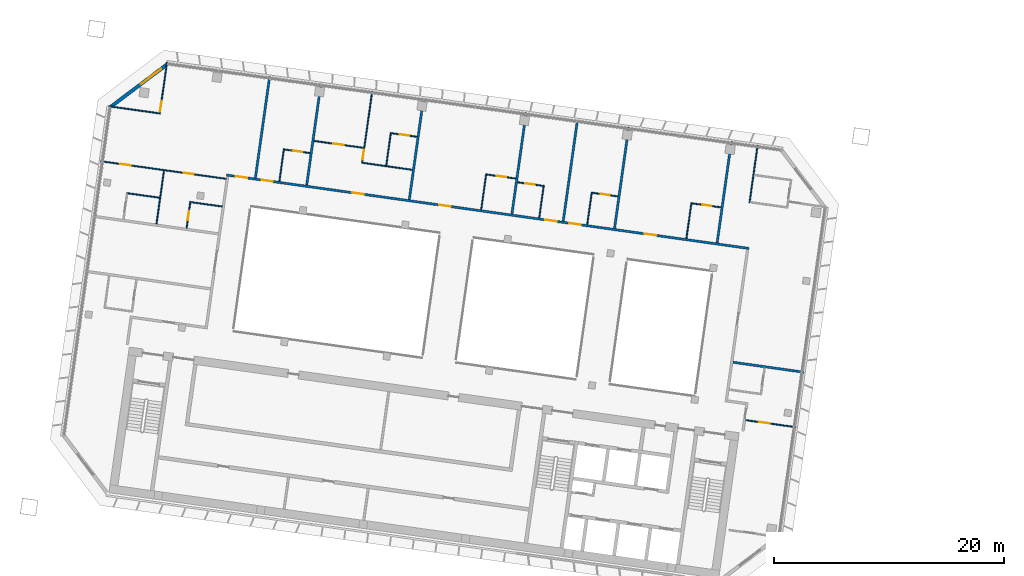
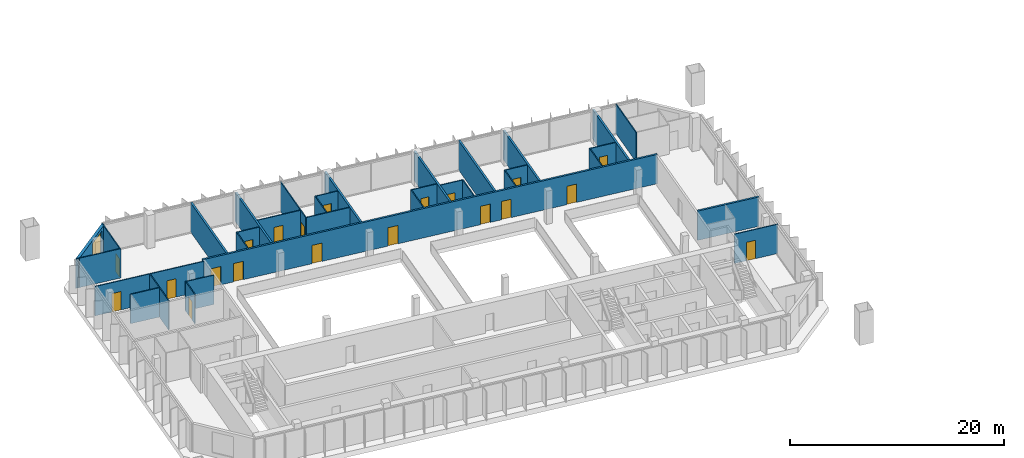
# One storey, part 17 of 26: 34 walls, 20 doors, 1 window, 21 openings.
"""IFC4 building model written with IfcOpenShell, lengths in metres."""

from ifc_helpers import new_model, si_unit, direction, frame, frame_2d, origin, place, context, subcontext, project, spatial, rectangle, extrude, material, layer, layer_set, type_object, element, fill, save


model = new_model("IFC4")

# Units and contexts
model_context = context("Model", 3, precision=1e-05, world=origin(), true_north=direction((0.0, 1.0)))
body_context = subcontext(model_context, "Body", "Model", "MODEL_VIEW")
ifc_project = project(units=[si_unit("LENGTHUNIT", "METRE"), si_unit("AREAUNIT", "SQUARE_METRE"), si_unit("VOLUMEUNIT", "CUBIC_METRE"), si_unit("PLANEANGLEUNIT", "RADIAN"), si_unit("MASSUNIT", "GRAM", prefix="KILO")], contexts=[model_context])

# Site, building, storey
site_placement = place(None, origin())
site = spatial("IfcSite", under=ifc_project, at=site_placement, CompositionType="ELEMENT")
building_placement = place(site_placement, origin())
building = spatial("IfcBuilding", under=site, at=building_placement, Name="Mirante Cascada Hotel Towers", CompositionType="ELEMENT")
storey_placement = place(building_placement, frame((0.0, 0.0, 161.2)))
storey = spatial("IfcBuildingStorey", under=building, at=storey_placement, Name="L37", CompositionType="ELEMENT", Elevation=161.2)

# Wall
ifc_material_1 = material(Name="Fire-rated plasterboard on metal studs")
ifc_layer_1 = layer(ifc_material_1, 0.2)
ifc_layer_set_1 = layer_set([ifc_layer_1], Name="Compartment wall 200 EI 120")
wall_type_1 = type_object("IfcWallType", Name="Compartment wall 200 EI 120", PredefinedType="PARTITIONING", material=ifc_layer_set_1)
wall_1_placement = place(storey_placement, frame((-36.0406, -1.151, 0.0), z_axis=(0.0, 0.0, 1.0), x_axis=(0.9902675, -0.1391773, 0.0)))
element("IfcWall", 1, at=wall_1_placement, inside=storey, type_object=wall_type_1, Name="Wall 1-L37-07", PredefinedType="PARTITIONING", context=body_context, shape_type="SweptSolid", body=[
    extrude(rectangle(XDim=6.2022, YDim=0.2, at=frame_2d((3.1011, 0.0))), origin(), (0.0, 0.0, 1.0), 3.35),
])

# Wall, openings, doors
wall_2_placement = place(storey_placement, frame((-80.1022, 15.1397, 0.0), z_axis=(0.0, 0.0, 1.0), x_axis=(0.9902679, -0.1391743, 0.0)))
wall_2 = element("IfcWall", 2, at=wall_2_placement, inside=storey, type_object=wall_type_1, Name="Wall 1-L37-13", PredefinedType="PARTITIONING", context=body_context, shape_type="SweptSolid", body=[
    extrude(rectangle(XDim=45.9, YDim=0.2, at=frame_2d((22.95, 0.0))), origin(), (0.0, 0.0, 1.0), 3.35),
])
opening_1_placement = place(wall_2_placement, frame((36.7352, 0.0, 0.0)))
opening_1 = element("IfcOpeningElement", 3, at=opening_1_placement, cuts=wall_2, Name="Opening D1-L37-06", PredefinedType="OPENING", context=body_context, shape_type="SweptSolid", body=[
    extrude(rectangle(XDim=1.0, YDim=2.1, at=frame_2d((0.5, 1.05))), frame((0.0, 0.1, 0.0), z_axis=(0.0, -1.0, 0.0), x_axis=(1.0, 0.0, 0.0)), (0.0, 0.0, 1.0), 0.2),
])
opening_2_placement = place(wall_2_placement, frame((30.1224, 0.0, 0.0)))
opening_2 = element("IfcOpeningElement", 4, at=opening_2_placement, cuts=wall_2, Name="Opening D1-L37-07", PredefinedType="OPENING", context=body_context, shape_type="SweptSolid", body=[
    extrude(rectangle(XDim=1.0, YDim=2.1, at=frame_2d((0.5, 1.05))), frame((0.0, 0.1, 0.0), z_axis=(0.0, -1.0, 0.0), x_axis=(1.0, 0.0, 0.0)), (0.0, 0.0, 1.0), 0.2),
])
opening_3_placement = place(wall_2_placement, frame((28.0138, 0.0, 0.0)))
opening_3 = element("IfcOpeningElement", 5, at=opening_3_placement, cuts=wall_2, Name="Opening D1-L37-08", PredefinedType="OPENING", context=body_context, shape_type="SweptSolid", body=[
    extrude(rectangle(XDim=1.0, YDim=2.1, at=frame_2d((0.5, 1.05))), frame((0.0, 0.1, 0.0), z_axis=(0.0, -1.0, 0.0), x_axis=(1.0, 0.0, 0.0)), (0.0, 0.0, 1.0), 0.2),
])
opening_4_placement = place(wall_2_placement, frame((18.7011, 0.0, 0.0)))
opening_4 = element("IfcOpeningElement", 6, at=opening_4_placement, cuts=wall_2, Name="Opening D1-L37-09", PredefinedType="OPENING", context=body_context, shape_type="SweptSolid", body=[
    extrude(rectangle(XDim=1.0, YDim=2.1, at=frame_2d((0.5, 1.05))), frame((0.0, 0.1, 0.0), z_axis=(0.0, -1.0, 0.0), x_axis=(1.0, 0.0, 0.0)), (0.0, 0.0, 1.0), 0.2),
])
opening_5_placement = place(wall_2_placement, frame((11.0341, 0.0, 0.0)))
opening_5 = element("IfcOpeningElement", 7, at=opening_5_placement, cuts=wall_2, Name="Opening D1-L37-10", PredefinedType="OPENING", context=body_context, shape_type="SweptSolid", body=[
    extrude(rectangle(XDim=1.0, YDim=2.1, at=frame_2d((0.5, 1.05))), frame((0.0, 0.1, 0.0), z_axis=(0.0, -1.0, 0.0), x_axis=(1.0, 0.0, 0.0)), (0.0, 0.0, 1.0), 0.2),
])
opening_6_placement = place(wall_2_placement, frame((3.0713, 0.0, 0.0)))
opening_6 = element("IfcOpeningElement", 8, at=opening_6_placement, cuts=wall_2, Name="Opening D1-L37-11", PredefinedType="OPENING", context=body_context, shape_type="SweptSolid", body=[
    extrude(rectangle(XDim=1.0, YDim=2.1, at=frame_2d((0.5, 1.05))), frame((0.0, 0.1, 0.0), z_axis=(0.0, -1.0, 0.0), x_axis=(1.0, 0.0, 0.0)), (0.0, 0.0, 1.0), 0.2),
])
opening_7_placement = place(wall_2_placement, frame((0.8085, 0.0, 0.0)))
opening_7 = element("IfcOpeningElement", 9, at=opening_7_placement, cuts=wall_2, Name="Opening D1-L37-12", PredefinedType="OPENING", context=body_context, shape_type="SweptSolid", body=[
    extrude(rectangle(XDim=1.0, YDim=2.1, at=frame_2d((0.5, 1.05))), frame((0.0, 0.1, 0.0), z_axis=(0.0, -1.0, 0.0), x_axis=(1.0, 0.0, 0.0)), (0.0, 0.0, 1.0), 0.2),
])
ifc_material_2 = material(Name="Fire-rated timber door leaf", Category="wood")
door_type_1 = type_object("IfcDoorType", Name="Entrance door DG1 1000x2100 EI 60", OperationType="SINGLE_SWING_LEFT", PredefinedType="DOOR", material=ifc_material_2)
door_1_placement = place(opening_1_placement, origin())
door_1 = element("IfcDoor", 10, at=door_1_placement, inside=storey, type_object=door_type_1, Name="Door D1-L37-06", OperationType="SINGLE_SWING_LEFT", OverallHeight=2.1, OverallWidth=1.0, PredefinedType="DOOR", context=body_context, shape_type="SweptSolid", body=[
    extrude(rectangle(XDim=1.0, YDim=2.1, at=frame_2d((0.5, 1.05))), frame((0.0, 0.025, 0.0), z_axis=(0.0, -1.0, 0.0), x_axis=(1.0, 0.0, 0.0)), (0.0, 0.0, 1.0), 0.05),
])
fill(opening_1, door_1)
door_2_placement = place(opening_2_placement, origin())
door_2 = element("IfcDoor", 11, at=door_2_placement, inside=storey, type_object=door_type_1, Name="Door D1-L37-07", OperationType="SINGLE_SWING_LEFT", OverallHeight=2.1, OverallWidth=1.0, PredefinedType="DOOR", context=body_context, shape_type="SweptSolid", body=[
    extrude(rectangle(XDim=1.0, YDim=2.1, at=frame_2d((0.5, 1.05))), frame((0.0, 0.025, 0.0), z_axis=(0.0, -1.0, 0.0), x_axis=(1.0, 0.0, 0.0)), (0.0, 0.0, 1.0), 0.05),
])
fill(opening_2, door_2)
door_3_placement = place(opening_3_placement, origin())
door_3 = element("IfcDoor", 12, at=door_3_placement, inside=storey, type_object=door_type_1, Name="Door D1-L37-08", OperationType="SINGLE_SWING_LEFT", OverallHeight=2.1, OverallWidth=1.0, PredefinedType="DOOR", context=body_context, shape_type="SweptSolid", body=[
    extrude(rectangle(XDim=1.0, YDim=2.1, at=frame_2d((0.5, 1.05))), frame((0.0, 0.025, 0.0), z_axis=(0.0, -1.0, 0.0), x_axis=(1.0, 0.0, 0.0)), (0.0, 0.0, 1.0), 0.05),
])
fill(opening_3, door_3)
door_4_placement = place(opening_4_placement, origin())
door_4 = element("IfcDoor", 13, at=door_4_placement, inside=storey, type_object=door_type_1, Name="Door D1-L37-09", OperationType="SINGLE_SWING_LEFT", OverallHeight=2.1, OverallWidth=1.0, PredefinedType="DOOR", context=body_context, shape_type="SweptSolid", body=[
    extrude(rectangle(XDim=1.0, YDim=2.1, at=frame_2d((0.5, 1.05))), frame((0.0, 0.025, 0.0), z_axis=(0.0, -1.0, 0.0), x_axis=(1.0, 0.0, 0.0)), (0.0, 0.0, 1.0), 0.05),
])
fill(opening_4, door_4)
door_5_placement = place(opening_5_placement, origin())
door_5 = element("IfcDoor", 14, at=door_5_placement, inside=storey, type_object=door_type_1, Name="Door D1-L37-10", OperationType="SINGLE_SWING_LEFT", OverallHeight=2.1, OverallWidth=1.0, PredefinedType="DOOR", context=body_context, shape_type="SweptSolid", body=[
    extrude(rectangle(XDim=1.0, YDim=2.1, at=frame_2d((0.5, 1.05))), frame((0.0, 0.025, 0.0), z_axis=(0.0, -1.0, 0.0), x_axis=(1.0, 0.0, 0.0)), (0.0, 0.0, 1.0), 0.05),
])
fill(opening_5, door_5)
door_6_placement = place(opening_6_placement, origin())
door_6 = element("IfcDoor", 15, at=door_6_placement, inside=storey, type_object=door_type_1, Name="Door D1-L37-11", OperationType="SINGLE_SWING_LEFT", OverallHeight=2.1, OverallWidth=1.0, PredefinedType="DOOR", context=body_context, shape_type="SweptSolid", body=[
    extrude(rectangle(XDim=1.0, YDim=2.1, at=frame_2d((0.5, 1.05))), frame((0.0, 0.025, 0.0), z_axis=(0.0, -1.0, 0.0), x_axis=(1.0, 0.0, 0.0)), (0.0, 0.0, 1.0), 0.05),
])
fill(opening_6, door_6)
door_7_placement = place(opening_7_placement, origin())
door_7 = element("IfcDoor", 16, at=door_7_placement, inside=storey, type_object=door_type_1, Name="Door D1-L37-12", OperationType="SINGLE_SWING_LEFT", OverallHeight=2.1, OverallWidth=1.0, PredefinedType="DOOR", context=body_context, shape_type="SweptSolid", body=[
    extrude(rectangle(XDim=1.0, YDim=2.1, at=frame_2d((0.5, 1.05))), frame((0.0, 0.025, 0.0), z_axis=(0.0, -1.0, 0.0), x_axis=(1.0, 0.0, 0.0)), (0.0, 0.0, 1.0), 0.05),
])
fill(opening_7, door_7)

# Walls
for number, where, z_axis, x_axis, name in (
    (17, (-36.1753, 18.0546, 0.0), (0.0, 0.0, 1.0), (-0.1391794, -0.9902672, 0.0), "Wall 1-L37-31"),
    (18, (-45.1046, 19.3095, 0.0), (0.0, 0.0, 1.0), (-0.1391684, -0.9902687, 0.0), "Wall 1-L37-33"),
    (19, (-49.5693, 19.937, 0.0), (0.0, 0.0, 1.0), (-0.1391684, -0.9902687, 0.0), "Wall 1-L37-35"),
    (20, (-54.0339, 20.5645, 0.0), (0.0, 0.0, 1.0), (-0.1391794, -0.9902672, 0.0), "Wall 1-L37-37"),
    (21, (-62.9632, 21.8194, 0.0), (0.0, 0.0, 1.0), (-0.1391684, -0.9902687, 0.0), "Wall 1-L37-39"),
    (22, (-73.1311, 14.2609, 0.0), (0.0, 0.0, 1.0), (0.1391794, 0.9902672, 0.0), "Wall 1-L37-42"),
    (23, (-77.5958, 14.8884, 0.0), (0.0, 0.0, 1.0), (0.1391794, 0.9902672, 0.0), "Wall 1-L37-44"),
):
    element("IfcWall", number, at=place(storey_placement, frame(where, z_axis=z_axis, x_axis=x_axis)), inside=storey, type_object=wall_type_1, Name=name, PredefinedType="PARTITIONING", context=body_context, shape_type="SweptSolid", body=[
        extrude(rectangle(XDim=8.9, YDim=0.2, at=frame_2d((4.45, 0.0))), origin(), (0.0, 0.0, 1.0), 3.35),
    ])

# Wall, opening, door
ifc_material_3 = material(Name="Plasterboard on metal studs")
ifc_layer_2 = layer(ifc_material_3, 0.1)
ifc_layer_set_2 = layer_set([ifc_layer_2], Name="Partition 100")
wall_type_2 = type_object("IfcWallType", Name="Partition 100", PredefinedType="PARTITIONING", material=ifc_layer_set_2)
wall_3_placement = place(storey_placement, frame((-30.5715, -6.8005, 0.0), z_axis=(0.0, 0.0, 1.0), x_axis=(-0.9902665, 0.1391841, 0.0)))
wall_3 = element("IfcWall", 24, at=wall_3_placement, inside=storey, type_object=wall_type_2, Name="Wall 1-L37-02", PredefinedType="PARTITIONING", context=body_context, shape_type="SweptSolid", body=[
    extrude(rectangle(XDim=4.3999, YDim=0.1, at=frame_2d((2.2, 0.0))), origin(), (0.0, 0.0, 1.0), 3.35),
])
opening_8_placement = place(wall_3_placement, frame((2.3011, 0.0, 0.0)))
opening_8 = element("IfcOpeningElement", 25, at=opening_8_placement, cuts=wall_3, Name="Opening D1-L37-02", PredefinedType="OPENING", context=body_context, shape_type="SweptSolid", body=[
    extrude(rectangle(XDim=0.9, YDim=2.1, at=frame_2d((0.45, 1.05))), frame((0.0, 0.05, 0.0), z_axis=(0.0, -1.0, 0.0), x_axis=(1.0, 0.0, 0.0)), (0.0, 0.0, 1.0), 0.1),
])
ifc_material_4 = material(Name="Timber door leaf", Category="wood")
door_type_2 = type_object("IfcDoorType", Name="Room door DG3 900x2100", OperationType="SINGLE_SWING_LEFT", PredefinedType="DOOR", material=ifc_material_4)
door_8_placement = place(opening_8_placement, origin())
door_8 = element("IfcDoor", 26, at=door_8_placement, inside=storey, type_object=door_type_2, Name="Door D1-L37-02", OperationType="SINGLE_SWING_LEFT", OverallHeight=2.1, OverallWidth=0.9, PredefinedType="DOOR", context=body_context, shape_type="SweptSolid", body=[
    extrude(rectangle(XDim=0.9, YDim=2.1, at=frame_2d((0.45, 1.05))), frame((0.0, 0.025, 0.0), z_axis=(0.0, -1.0, 0.0), x_axis=(1.0, 0.0, 0.0)), (0.0, 0.0, 1.0), 0.05),
])
fill(opening_8, door_8)

# Walls
wall_4_placement = place(storey_placement, frame((-80.4873, 12.3999, 0.0), z_axis=(0.0, 0.0, 1.0), x_axis=(-0.9902649, 0.1391957, 0.0)))
element("IfcWall", 27, at=wall_4_placement, inside=storey, type_object=wall_type_2, Name="Wall 1-L37-10", PredefinedType="PARTITIONING", context=body_context, shape_type="SweptSolid", body=[
    extrude(rectangle(XDim=2.8499, YDim=0.1, at=frame_2d((1.425, 0.0))), origin(), (0.0, 0.0, 1.0), 3.35),
])
wall_5_placement = place(storey_placement, frame((-88.8055, 13.569, 0.0), z_axis=(0.0, 0.0, 1.0), x_axis=(0.9902683, -0.1391714, 0.0)))
element("IfcWall", 28, at=wall_5_placement, inside=storey, type_object=wall_type_2, Name="Wall 1-L37-11", PredefinedType="PARTITIONING", context=body_context, shape_type="SweptSolid", body=[
    extrude(rectangle(XDim=2.9, YDim=0.1, at=frame_2d((1.45, 0.0))), origin(), (0.0, 0.0, 1.0), 3.35),
])

# Wall, openings, doors
wall_6_placement = place(storey_placement, frame((-80.1486, 14.8096, 0.0), z_axis=(0.0, 0.0, 1.0), x_axis=(-0.990268, 0.1391733, 0.0)))
wall_6 = element("IfcWall", 29, at=wall_6_placement, inside=storey, type_object=wall_type_2, Name="Wall 1-L37-12", PredefinedType="PARTITIONING", context=body_context, shape_type="SweptSolid", body=[
    extrude(rectangle(XDim=11.0, YDim=0.1, at=frame_2d((5.5, 0.0))), origin(), (0.0, 0.0, 1.0), 3.35),
])
opening_9_placement = place(wall_6_placement, frame((2.825, 0.0, 0.0)))
opening_9 = element("IfcOpeningElement", 30, at=opening_9_placement, cuts=wall_6, Name="Opening D1-L37-04", PredefinedType="OPENING", context=body_context, shape_type="SweptSolid", body=[
    extrude(rectangle(XDim=0.9, YDim=2.1, at=frame_2d((0.45, 1.05))), frame((0.0, 0.05, 0.0), z_axis=(0.0, -1.0, 0.0), x_axis=(1.0, 0.0, 0.0)), (0.0, 0.0, 1.0), 0.1),
])
opening_10_placement = place(wall_6_placement, frame((8.375, 0.0, 0.0)))
opening_10 = element("IfcOpeningElement", 31, at=opening_10_placement, cuts=wall_6, Name="Opening D1-L37-05", PredefinedType="OPENING", context=body_context, shape_type="SweptSolid", body=[
    extrude(rectangle(XDim=0.9, YDim=2.1, at=frame_2d((0.45, 1.05))), frame((0.0, 0.05, 0.0), z_axis=(0.0, -1.0, 0.0), x_axis=(1.0, 0.0, 0.0)), (0.0, 0.0, 1.0), 0.1),
])
door_9_placement = place(opening_9_placement, frame((0.9, 0.0, 0.0), z_axis=(0.0, 0.0, 1.0), x_axis=(-1.0, 0.0, 0.0)))
door_9 = element("IfcDoor", 32, at=door_9_placement, inside=storey, type_object=door_type_2, Name="Door D1-L37-04", OperationType="SINGLE_SWING_RIGHT", OverallHeight=2.1, OverallWidth=0.9, PredefinedType="DOOR", context=body_context, shape_type="SweptSolid", body=[
    extrude(rectangle(XDim=0.9, YDim=2.1, at=frame_2d((0.45, 1.05))), frame((0.0, 0.025, 0.0), z_axis=(0.0, -1.0, 0.0), x_axis=(1.0, 0.0, 0.0)), (0.0, 0.0, 1.0), 0.05),
])
fill(opening_9, door_9)
door_10_placement = place(opening_10_placement, frame((0.9, 0.0, 0.0), z_axis=(0.0, 0.0, 1.0), x_axis=(-1.0, 0.0, 0.0)))
door_10 = element("IfcDoor", 33, at=door_10_placement, inside=storey, type_object=door_type_2, Name="Door D1-L37-05", OperationType="SINGLE_SWING_RIGHT", OverallHeight=2.1, OverallWidth=0.9, PredefinedType="DOOR", context=body_context, shape_type="SweptSolid", body=[
    extrude(rectangle(XDim=0.9, YDim=2.1, at=frame_2d((0.45, 1.05))), frame((0.0, 0.025, 0.0), z_axis=(0.0, -1.0, 0.0), x_axis=(1.0, 0.0, 0.0)), (0.0, 0.0, 1.0), 0.05),
])
fill(opening_10, door_10)

# Wall
wall_7_placement = place(storey_placement, frame((-63.939, 15.5946, 0.0), z_axis=(0.0, 0.0, 1.0), x_axis=(-0.9902677, 0.1391757, 0.0)))
element("IfcWall", 34, at=wall_7_placement, inside=storey, type_object=wall_type_2, Name="Wall 1-L37-14", PredefinedType="PARTITIONING", context=body_context, shape_type="SweptSolid", body=[
    extrude(rectangle(XDim=4.3585, YDim=0.1, at=frame_2d((2.1792, 0.0))), origin(), (0.0, 0.0, 1.0), 3.35),
])

# Wall, opening, door
wall_8_placement = place(storey_placement, frame((-48.2807, 13.596, 0.0), z_axis=(0.0, 0.0, 1.0), x_axis=(0.9902643, -0.1391997, 0.0)))
wall_8 = element("IfcWall", 35, at=wall_8_placement, inside=storey, type_object=wall_type_2, Name="Wall 1-L37-15", PredefinedType="PARTITIONING", context=body_context, shape_type="SweptSolid", body=[
    extrude(rectangle(XDim=2.25, YDim=0.1, at=frame_2d((1.125, 0.0))), origin(), (0.0, 0.0, 1.0), 3.35),
])
opening_11_placement = place(wall_8_placement, frame((0.75, 0.0, 0.0)))
opening_11 = element("IfcOpeningElement", 36, at=opening_11_placement, cuts=wall_8, Name="Opening D1-L37-13", PredefinedType="OPENING", context=body_context, shape_type="SweptSolid", body=[
    extrude(rectangle(XDim=0.8, YDim=2.1, at=frame_2d((0.4, 1.05))), frame((0.0, 0.05, 0.0), z_axis=(0.0, -1.0, 0.0), x_axis=(1.0, 0.0, 0.0)), (0.0, 0.0, 1.0), 0.1),
])
ifc_material_5 = material(Name="Timber door leaf", Category="wood")
door_type_3 = type_object("IfcDoorType", Name="Bathroom door DG4 800x2100", OperationType="SINGLE_SWING_LEFT", PredefinedType="DOOR", material=ifc_material_5)
door_11_placement = place(opening_11_placement, origin())
door_11 = element("IfcDoor", 37, at=door_11_placement, inside=storey, type_object=door_type_3, Name="Door D1-L37-13", OperationType="SINGLE_SWING_LEFT", OverallHeight=2.1, OverallWidth=0.8, PredefinedType="DOOR", context=body_context, shape_type="SweptSolid", body=[
    extrude(rectangle(XDim=0.8, YDim=2.1, at=frame_2d((0.4, 1.05))), frame((0.0, 0.025, 0.0), z_axis=(0.0, -1.0, 0.0), x_axis=(1.0, 0.0, 0.0)), (0.0, 0.0, 1.0), 0.05),
])
fill(opening_11, door_11)

wall_9_placement = place(storey_placement, frame((-52.5558, 14.1968, 0.0), z_axis=(0.0, 0.0, 1.0), x_axis=(-0.9902705, 0.1391561, 0.0)))
wall_9 = element("IfcWall", 38, at=wall_9_placement, inside=storey, type_object=wall_type_2, Name="Wall 1-L37-16", PredefinedType="PARTITIONING", context=body_context, shape_type="SweptSolid", body=[
    extrude(rectangle(XDim=2.25, YDim=0.1, at=frame_2d((1.125, 0.0))), origin(), (0.0, 0.0, 1.0), 3.35),
])
opening_12_placement = place(wall_9_placement, frame((0.75, 0.0, 0.0)))
opening_12 = element("IfcOpeningElement", 39, at=opening_12_placement, cuts=wall_9, Name="Opening D1-L37-14", PredefinedType="OPENING", context=body_context, shape_type="SweptSolid", body=[
    extrude(rectangle(XDim=0.8, YDim=2.1, at=frame_2d((0.4, 1.05))), frame((0.0, 0.05, 0.0), z_axis=(0.0, -1.0, 0.0), x_axis=(1.0, 0.0, 0.0)), (0.0, 0.0, 1.0), 0.1),
])
door_12_placement = place(opening_12_placement, frame((0.8, 0.0, 0.0), z_axis=(0.0, 0.0, 1.0), x_axis=(-1.0, 0.0, 0.0)))
door_12 = element("IfcDoor", 40, at=door_12_placement, inside=storey, type_object=door_type_3, Name="Door D1-L37-14", OperationType="SINGLE_SWING_RIGHT", OverallHeight=2.1, OverallWidth=0.8, PredefinedType="DOOR", context=body_context, shape_type="SweptSolid", body=[
    extrude(rectangle(XDim=0.8, YDim=2.1, at=frame_2d((0.4, 1.05))), frame((0.0, 0.025, 0.0), z_axis=(0.0, -1.0, 0.0), x_axis=(1.0, 0.0, 0.0)), (0.0, 0.0, 1.0), 0.05),
])
fill(opening_12, door_12)

wall_10_placement = place(storey_placement, frame((-75.0685, 17.3607, 0.0), z_axis=(0.0, 0.0, 1.0), x_axis=(0.9902705, -0.1391561, 0.0)))
wall_10 = element("IfcWall", 41, at=wall_10_placement, inside=storey, type_object=wall_type_2, Name="Wall 1-L37-17", PredefinedType="PARTITIONING", context=body_context, shape_type="SweptSolid", body=[
    extrude(rectangle(XDim=2.25, YDim=0.1, at=frame_2d((1.125, 0.0))), origin(), (0.0, 0.0, 1.0), 3.35),
])
opening_13_placement = place(wall_10_placement, frame((0.75, 0.0, 0.0)))
opening_13 = element("IfcOpeningElement", 42, at=opening_13_placement, cuts=wall_10, Name="Opening D1-L37-15", PredefinedType="OPENING", context=body_context, shape_type="SweptSolid", body=[
    extrude(rectangle(XDim=0.8, YDim=2.1, at=frame_2d((0.4, 1.05))), frame((0.0, 0.05, 0.0), z_axis=(0.0, -1.0, 0.0), x_axis=(1.0, 0.0, 0.0)), (0.0, 0.0, 1.0), 0.1),
])
door_13_placement = place(opening_13_placement, origin())
door_13 = element("IfcDoor", 43, at=door_13_placement, inside=storey, type_object=door_type_3, Name="Door D1-L37-15", OperationType="SINGLE_SWING_LEFT", OverallHeight=2.1, OverallWidth=0.8, PredefinedType="DOOR", context=body_context, shape_type="SweptSolid", body=[
    extrude(rectangle(XDim=0.8, YDim=2.1, at=frame_2d((0.4, 1.05))), frame((0.0, 0.025, 0.0), z_axis=(0.0, -1.0, 0.0), x_axis=(1.0, 0.0, 0.0)), (0.0, 0.0, 1.0), 0.05),
])
fill(opening_13, door_13)

wall_11_placement = place(storey_placement, frame((-37.0816, 12.325, 0.0), z_axis=(0.0, 0.0, 1.0), x_axis=(-0.990267, 0.1391809, 0.0)))
wall_11 = element("IfcWall", 44, at=wall_11_placement, inside=storey, type_object=wall_type_2, Name="Wall 1-L37-18", PredefinedType="PARTITIONING", context=body_context, shape_type="SweptSolid", body=[
    extrude(rectangle(XDim=2.5499, YDim=0.1, at=frame_2d((1.275, 0.0))), origin(), (0.0, 0.0, 1.0), 3.35),
])
opening_14_placement = place(wall_11_placement, frame((0.85, 0.0, 0.0)))
opening_14 = element("IfcOpeningElement", 45, at=opening_14_placement, cuts=wall_11, Name="Opening D1-L37-16", PredefinedType="OPENING", context=body_context, shape_type="SweptSolid", body=[
    extrude(rectangle(XDim=0.8, YDim=2.1, at=frame_2d((0.4, 1.05))), frame((0.0, 0.05, 0.0), z_axis=(0.0, -1.0, 0.0), x_axis=(1.0, 0.0, 0.0)), (0.0, 0.0, 1.0), 0.1),
])
door_14_placement = place(opening_14_placement, frame((0.8, 0.0, 0.0), z_axis=(0.0, 0.0, 1.0), x_axis=(-1.0, 0.0, 0.0)))
door_14 = element("IfcDoor", 46, at=door_14_placement, inside=storey, type_object=door_type_3, Name="Door D1-L37-16", OperationType="SINGLE_SWING_RIGHT", OverallHeight=2.1, OverallWidth=0.8, PredefinedType="DOOR", context=body_context, shape_type="SweptSolid", body=[
    extrude(rectangle(XDim=0.8, YDim=2.1, at=frame_2d((0.4, 1.05))), frame((0.0, 0.025, 0.0), z_axis=(0.0, -1.0, 0.0), x_axis=(1.0, 0.0, 0.0)), (0.0, 0.0, 1.0), 0.05),
])
fill(opening_14, door_14)

wall_12_placement = place(storey_placement, frame((-57.4653, 15.1897, 0.0), z_axis=(0.0, 0.0, 1.0), x_axis=(0.990267, -0.1391809, 0.0)))
wall_12 = element("IfcWall", 47, at=wall_12_placement, inside=storey, type_object=wall_type_2, Name="Wall 1-L37-19", PredefinedType="PARTITIONING", context=body_context, shape_type="SweptSolid", body=[
    extrude(rectangle(XDim=2.5499, YDim=0.1, at=frame_2d((1.275, 0.0))), origin(), (0.0, 0.0, 1.0), 3.35),
])
opening_15_placement = place(wall_12_placement, frame((0.9, 0.0, 0.0)))
opening_15 = element("IfcOpeningElement", 48, at=opening_15_placement, cuts=wall_12, Name="Opening D1-L37-17", PredefinedType="OPENING", context=body_context, shape_type="SweptSolid", body=[
    extrude(rectangle(XDim=0.8, YDim=2.1, at=frame_2d((0.4, 1.05))), frame((0.0, 0.05, 0.0), z_axis=(0.0, -1.0, 0.0), x_axis=(1.0, 0.0, 0.0)), (0.0, 0.0, 1.0), 0.1),
])
door_15_placement = place(opening_15_placement, origin())
door_15 = element("IfcDoor", 49, at=door_15_placement, inside=storey, type_object=door_type_3, Name="Door D1-L37-17", OperationType="SINGLE_SWING_LEFT", OverallHeight=2.1, OverallWidth=0.8, PredefinedType="DOOR", context=body_context, shape_type="SweptSolid", body=[
    extrude(rectangle(XDim=0.8, YDim=2.1, at=frame_2d((0.4, 1.05))), frame((0.0, 0.025, 0.0), z_axis=(0.0, -1.0, 0.0), x_axis=(1.0, 0.0, 0.0)), (0.0, 0.0, 1.0), 0.05),
])
fill(opening_15, door_15)

wall_13_placement = place(storey_placement, frame((-72.4893, 18.1091, 0.0), z_axis=(0.0, 0.0, 1.0), x_axis=(0.9902677, -0.1391757, 0.0)))
wall_13 = element("IfcWall", 50, at=wall_13_placement, inside=storey, type_object=wall_type_2, Name="Wall 1-L37-21", PredefinedType="PARTITIONING", context=body_context, shape_type="SweptSolid", body=[
    extrude(rectangle(XDim=4.3585, YDim=0.1, at=frame_2d((2.1792, 0.0))), origin(), (0.0, 0.0, 1.0), 3.35),
])
opening_16_placement = place(wall_13_placement, frame((1.7042, 0.0, 0.0)))
opening_16 = element("IfcOpeningElement", 51, at=opening_16_placement, cuts=wall_13, Name="Opening D1-L37-18", PredefinedType="OPENING", context=body_context, shape_type="SweptSolid", body=[
    extrude(rectangle(XDim=0.9, YDim=2.1, at=frame_2d((0.45, 1.05))), frame((0.0, 0.05, 0.0), z_axis=(0.0, -1.0, 0.0), x_axis=(1.0, 0.0, 0.0)), (0.0, 0.0, 1.0), 0.1),
])
door_16_placement = place(opening_16_placement, frame((0.9, 0.0, 0.0), z_axis=(0.0, 0.0, 1.0), x_axis=(-1.0, 0.0, 0.0)))
door_16 = element("IfcDoor", 52, at=door_16_placement, inside=storey, type_object=door_type_2, Name="Door D1-L37-18", OperationType="SINGLE_SWING_RIGHT", OverallHeight=2.1, OverallWidth=0.9, PredefinedType="DOOR", context=body_context, shape_type="SweptSolid", body=[
    extrude(rectangle(XDim=0.9, YDim=2.1, at=frame_2d((0.45, 1.05))), frame((0.0, 0.025, 0.0), z_axis=(0.0, -1.0, 0.0), x_axis=(1.0, 0.0, 0.0)), (0.0, 0.0, 1.0), 0.05),
])
fill(opening_16, door_16)

# Wall
wall_14_placement = place(storey_placement, frame((-90.3689, 21.1268, 0.0), z_axis=(0.0, 0.0, 1.0), x_axis=(0.9902691, -0.1391656, 0.0)))
element("IfcWall", 53, at=wall_14_placement, inside=storey, type_object=wall_type_2, Name="Wall 1-L37-23", PredefinedType="PARTITIONING", context=body_context, shape_type="SweptSolid", body=[
    extrude(rectangle(XDim=4.55, YDim=0.1, at=frame_2d((2.275, 0.0))), origin(), (0.0, 0.0, 1.0), 3.35),
])

# Wall, opening, door
wall_15_placement = place(storey_placement, frame((-63.5354, 18.4664, 0.0), z_axis=(0.0, 0.0, 1.0), x_axis=(-0.9902705, 0.1391561, 0.0)))
wall_15 = element("IfcWall", 54, at=wall_15_placement, inside=storey, type_object=wall_type_2, Name="Wall 1-L37-24", PredefinedType="PARTITIONING", context=body_context, shape_type="SweptSolid", body=[
    extrude(rectangle(XDim=2.25, YDim=0.1, at=frame_2d((1.125, 0.0))), origin(), (0.0, 0.0, 1.0), 3.35),
])
opening_17_placement = place(wall_15_placement, frame((0.7, 0.0, 0.0)))
opening_17 = element("IfcOpeningElement", 55, at=opening_17_placement, cuts=wall_15, Name="Opening D1-L37-20", PredefinedType="OPENING", context=body_context, shape_type="SweptSolid", body=[
    extrude(rectangle(XDim=0.8, YDim=2.1, at=frame_2d((0.4, 1.05))), frame((0.0, 0.05, 0.0), z_axis=(0.0, -1.0, 0.0), x_axis=(1.0, 0.0, 0.0)), (0.0, 0.0, 1.0), 0.1),
])
door_17_placement = place(opening_17_placement, frame((0.8, 0.0, 0.0), z_axis=(0.0, 0.0, 1.0), x_axis=(-1.0, 0.0, 0.0)))
door_17 = element("IfcDoor", 56, at=door_17_placement, inside=storey, type_object=door_type_3, Name="Door D1-L37-20", OperationType="SINGLE_SWING_RIGHT", OverallHeight=2.1, OverallWidth=0.8, PredefinedType="DOOR", context=body_context, shape_type="SweptSolid", body=[
    extrude(rectangle(XDim=0.8, YDim=2.1, at=frame_2d((0.4, 1.05))), frame((0.0, 0.025, 0.0), z_axis=(0.0, -1.0, 0.0), x_axis=(1.0, 0.0, 0.0)), (0.0, 0.0, 1.0), 0.05),
])
fill(opening_17, door_17)

# Walls
wall_16_placement = place(storey_placement, frame((-34.5943, 12.7328, 0.0), z_axis=(0.0, 0.0, 1.0), x_axis=(0.1391699, 0.9902685, 0.0)))
element("IfcWall", 57, at=wall_16_placement, inside=storey, type_object=wall_type_2, Name="Wall 1-L37-30", PredefinedType="PARTITIONING", context=body_context, shape_type="SweptSolid", body=[
    extrude(rectangle(XDim=5.0499, YDim=0.1, at=frame_2d((2.525, 0.0))), origin(), (0.0, 0.0, 1.0), 3.35),
])
wall_17_placement = place(storey_placement, frame((-40.0877, 9.617, 0.0), z_axis=(0.0, 0.0, 1.0), x_axis=(0.1391765, 0.9902676, 0.0)))
element("IfcWall", 58, at=wall_17_placement, inside=storey, type_object=wall_type_2, Name="Wall 1-L37-32", PredefinedType="PARTITIONING", context=body_context, shape_type="SweptSolid", body=[
    extrude(rectangle(XDim=3.15, YDim=0.1, at=frame_2d((1.575, 0.0))), origin(), (0.0, 0.0, 1.0), 3.35),
])
for number, where, z_axis, x_axis, name in (
    (59, (-48.7199, 10.8302, 0.0), (0.0, 0.0, 1.0), (0.1391957, 0.9902649, 0.0), "Wall 1-L37-34"),
    (60, (-52.8959, 11.4171, 0.0), (0.0, 0.0, 1.0), (0.1391613, 0.9902697, 0.0), "Wall 1-L37-36"),
):
    element("IfcWall", number, at=place(storey_placement, frame(where, z_axis=z_axis, x_axis=x_axis)), inside=storey, type_object=wall_type_2, Name=name, PredefinedType="PARTITIONING", context=body_context, shape_type="SweptSolid", body=[
        extrude(rectangle(XDim=2.8499, YDim=0.1, at=frame_2d((1.425, 0.0))), origin(), (0.0, 0.0, 1.0), 3.35),
    ])
wall_18_placement = place(storey_placement, frame((-57.9463, 12.1269, 0.0), z_axis=(0.0, 0.0, 1.0), x_axis=(0.1391765, 0.9902676, 0.0)))
element("IfcWall", 61, at=wall_18_placement, inside=storey, type_object=wall_type_2, Name="Wall 1-L37-38", PredefinedType="PARTITIONING", context=body_context, shape_type="SweptSolid", body=[
    extrude(rectangle(XDim=3.15, YDim=0.1, at=frame_2d((1.575, 0.0))), origin(), (0.0, 0.0, 1.0), 3.35),
])
wall_19_placement = place(storey_placement, frame((-66.2097, 15.9642, 0.0), z_axis=(0.0, 0.0, 1.0), x_axis=(0.1392052, 0.9902636, 0.0)))
element("IfcWall", 62, at=wall_19_placement, inside=storey, type_object=wall_type_2, Name="Wall 1-L37-40", PredefinedType="PARTITIONING", context=body_context, shape_type="SweptSolid", body=[
    extrude(rectangle(XDim=2.9, YDim=0.1, at=frame_2d((1.45, 0.0))), origin(), (0.0, 0.0, 1.0), 3.35),
])

# Wall, opening, door
wall_20_placement = place(storey_placement, frame((-67.4278, 22.4469, 0.0), z_axis=(0.0, 0.0, 1.0), x_axis=(-0.1391656, -0.9902691, 0.0)))
wall_20 = element("IfcWall", 63, at=wall_20_placement, inside=storey, type_object=wall_type_2, Name="Wall 1-L37-41", PredefinedType="PARTITIONING", context=body_context, shape_type="SweptSolid", body=[
    extrude(rectangle(XDim=6.35, YDim=0.1, at=frame_2d((3.175, 0.0))), origin(), (0.0, 0.0, 1.0), 3.35),
])
opening_18_placement = place(wall_20_placement, frame((5.15, 0.0, 0.0)))
opening_18 = element("IfcOpeningElement", 64, at=opening_18_placement, cuts=wall_20, Name="Opening D1-L37-25", PredefinedType="OPENING", context=body_context, shape_type="SweptSolid", body=[
    extrude(rectangle(XDim=0.9, YDim=2.1, at=frame_2d((0.45, 1.05))), frame((0.0, 0.05, 0.0), z_axis=(0.0, -1.0, 0.0), x_axis=(1.0, 0.0, 0.0)), (0.0, 0.0, 1.0), 0.1),
])
door_18_placement = place(opening_18_placement, frame((0.9, 0.0, 0.0), z_axis=(0.0, 0.0, 1.0), x_axis=(-1.0, 0.0, 0.0)))
door_18 = element("IfcDoor", 65, at=door_18_placement, inside=storey, type_object=door_type_2, Name="Door D1-L37-25", OperationType="SINGLE_SWING_RIGHT", OverallHeight=2.1, OverallWidth=0.9, PredefinedType="DOOR", context=body_context, shape_type="SweptSolid", body=[
    extrude(rectangle(XDim=0.9, YDim=2.1, at=frame_2d((0.45, 1.05))), frame((0.0, 0.025, 0.0), z_axis=(0.0, -1.0, 0.0), x_axis=(1.0, 0.0, 0.0)), (0.0, 0.0, 1.0), 0.05),
])
fill(opening_18, door_18)

# Wall
wall_21_placement = place(storey_placement, frame((-75.1111, 17.4172, 0.0), z_axis=(0.0, 0.0, 1.0), x_axis=(-0.1391564, -0.9902704, 0.0)))
element("IfcWall", 66, at=wall_21_placement, inside=storey, type_object=wall_type_2, Name="Wall 1-L37-43", PredefinedType="PARTITIONING", context=body_context, shape_type="SweptSolid", body=[
    extrude(rectangle(XDim=2.85, YDim=0.1, at=frame_2d((1.425, 0.0))), origin(), (0.0, 0.0, 1.0), 3.35),
])

# Wall, opening, door
wall_22_placement = place(storey_placement, frame((-83.5801, 10.512, 0.0), z_axis=(0.0, 0.0, 1.0), x_axis=(0.1391561, 0.9902705, 0.0)))
wall_22 = element("IfcWall", 67, at=wall_22_placement, inside=storey, type_object=wall_type_2, Name="Wall 1-L37-46", PredefinedType="PARTITIONING", context=body_context, shape_type="SweptSolid", body=[
    extrude(rectangle(XDim=2.25, YDim=0.1, at=frame_2d((1.125, 0.0))), origin(), (0.0, 0.0, 1.0), 3.35),
])
opening_19_placement = place(wall_22_placement, frame((0.7, 0.0, 0.0)))
opening_19 = element("IfcOpeningElement", 68, at=opening_19_placement, cuts=wall_22, Name="Opening D1-L37-27", PredefinedType="OPENING", context=body_context, shape_type="SweptSolid", body=[
    extrude(rectangle(XDim=0.8, YDim=2.1, at=frame_2d((0.4, 1.05))), frame((0.0, 0.05, 0.0), z_axis=(0.0, -1.0, 0.0), x_axis=(1.0, 0.0, 0.0)), (0.0, 0.0, 1.0), 0.1),
])
door_19_placement = place(opening_19_placement, frame((0.8, 0.0, 0.0), z_axis=(0.0, 0.0, 1.0), x_axis=(-1.0, 0.0, 0.0)))
door_19 = element("IfcDoor", 69, at=door_19_placement, inside=storey, type_object=door_type_3, Name="Door D1-L37-27", OperationType="SINGLE_SWING_RIGHT", OverallHeight=2.1, OverallWidth=0.8, PredefinedType="DOOR", context=body_context, shape_type="SweptSolid", body=[
    extrude(rectangle(XDim=0.8, YDim=2.1, at=frame_2d((0.4, 1.05))), frame((0.0, 0.025, 0.0), z_axis=(0.0, -1.0, 0.0), x_axis=(1.0, 0.0, 0.0)), (0.0, 0.0, 1.0), 0.05),
])
fill(opening_19, door_19)

# Wall
wall_23_placement = place(storey_placement, frame((-85.5525, 15.5186, 0.0), z_axis=(0.0, 0.0, 1.0), x_axis=(-0.139173, -0.9902681, 0.0)))
element("IfcWall", 70, at=wall_23_placement, inside=storey, type_object=wall_type_2, Name="Wall 1-L37-47", PredefinedType="PARTITIONING", context=body_context, shape_type="SweptSolid", body=[
    extrude(rectangle(XDim=4.6834, YDim=0.1, at=frame_2d((2.3417, 0.0))), origin(), (0.0, 0.0, 1.0), 3.35),
])

# Wall, opening, door
wall_24_placement = place(storey_placement, frame((-85.9057, 20.55, 0.0), z_axis=(0.0, 0.0, 1.0), x_axis=(0.1391684, 0.9902687, 0.0)))
wall_24 = element("IfcWall", 71, at=wall_24_placement, inside=storey, type_object=wall_type_2, Name="Wall 1-L37-50", PredefinedType="PARTITIONING", context=body_context, shape_type="SweptSolid", body=[
    extrude(rectangle(XDim=4.45, YDim=0.1, at=frame_2d((2.225, 0.0))), origin(), (0.0, 0.0, 1.0), 3.35),
])
opening_20_placement = place(wall_24_placement, frame((0.1, 0.0, 0.0)))
opening_20 = element("IfcOpeningElement", 72, at=opening_20_placement, cuts=wall_24, Name="Opening D1-L37-29", PredefinedType="OPENING", context=body_context, shape_type="SweptSolid", body=[
    extrude(rectangle(XDim=0.9, YDim=2.1, at=frame_2d((0.45, 1.05))), frame((0.0, 0.05, 0.0), z_axis=(0.0, -1.0, 0.0), x_axis=(1.0, 0.0, 0.0)), (0.0, 0.0, 1.0), 0.1),
])
door_20_placement = place(opening_20_placement, frame((0.9, 0.0, 0.0), z_axis=(0.0, 0.0, 1.0), x_axis=(-1.0, 0.0, 0.0)))
door_20 = element("IfcDoor", 73, at=door_20_placement, inside=storey, type_object=door_type_2, Name="Door D1-L37-29", OperationType="SINGLE_SWING_RIGHT", OverallHeight=2.1, OverallWidth=0.9, PredefinedType="DOOR", context=body_context, shape_type="SweptSolid", body=[
    extrude(rectangle(XDim=0.9, YDim=2.1, at=frame_2d((0.45, 1.05))), frame((0.0, 0.025, 0.0), z_axis=(0.0, -1.0, 0.0), x_axis=(1.0, 0.0, 0.0)), (0.0, 0.0, 1.0), 0.05),
])
fill(opening_20, door_20)

# Wall, opening, window
ifc_material_6 = material(Name="Precast concrete C40/50", Category="concrete")
ifc_layer_3 = layer(ifc_material_6, 0.3)
ifc_layer_set_3 = layer_set([ifc_layer_3], Name="Precast concrete C40/50 cladding wall 300")
wall_type_3 = type_object("IfcWallType", Name="Precast concrete C40/50 cladding wall 300", PredefinedType="STANDARD", material=ifc_layer_set_3)
wall_25_placement = place(storey_placement, frame((-90.1795, 21.0817, 0.0), z_axis=(0.0, 0.0, 1.0), x_axis=(0.7986362, 0.6018141, 0.0)))
wall_25 = element("IfcWall", 74, at=wall_25_placement, inside=storey, type_object=wall_type_3, Name="Corner cladding wall T1 L37 outer front", PredefinedType="STANDARD", context=body_context, shape_type="SweptSolid", body=[
    extrude(rectangle(XDim=6.1157, YDim=0.3, at=frame_2d((3.0578, 0.0))), origin(), (0.0, 0.0, 1.0), 3.35),
])
opening_21_placement = place(wall_25_placement, frame((3.2692, 0.0, 0.6)))
opening_21 = element("IfcOpeningElement", 75, at=opening_21_placement, cuts=wall_25, Name="Opening W1-37-02", PredefinedType="OPENING", context=body_context, shape_type="SweptSolid", body=[
    extrude(rectangle(XDim=2.2, YDim=2.4, at=frame_2d((1.1, 1.2))), frame((0.0, 0.15, 0.0), z_axis=(0.0, -1.0, 0.0), x_axis=(1.0, 0.0, 0.0)), (0.0, 0.0, 1.0), 0.3),
])
ifc_material_7 = material(Name="Aluminium frame with clear double glazing", Category="aluminium")
window_type = type_object("IfcWindowType", Name="Corner suite window 2200x2400", PartitioningType="DOUBLE_PANEL_VERTICAL", PredefinedType="WINDOW", material=ifc_material_7)
window_placement = place(opening_21_placement, origin())
window = element("IfcWindow", 76, at=window_placement, inside=storey, type_object=window_type, Name="Window W1-37-02", OverallHeight=2.4, OverallWidth=2.2, PartitioningType="SINGLE_PANEL", PredefinedType="WINDOW", context=body_context, shape_type="SweptSolid", body=[
    extrude(rectangle(XDim=2.2, YDim=2.4, at=frame_2d((1.1, 1.2))), frame((0.0, 0.03, 0.0), z_axis=(0.0, -1.0, 0.0), x_axis=(1.0, 0.0, 0.0)), (0.0, 0.0, 1.0), 0.06),
])
fill(opening_21, window)

save(model, "model.ifc")
